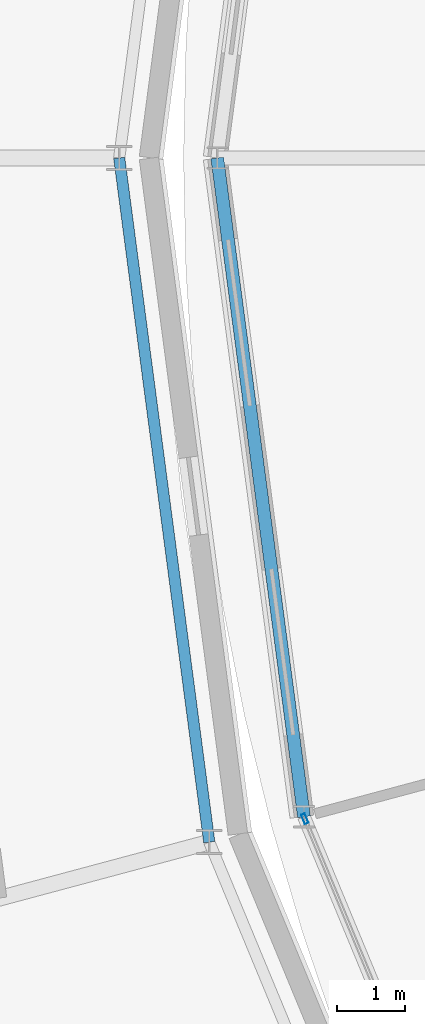
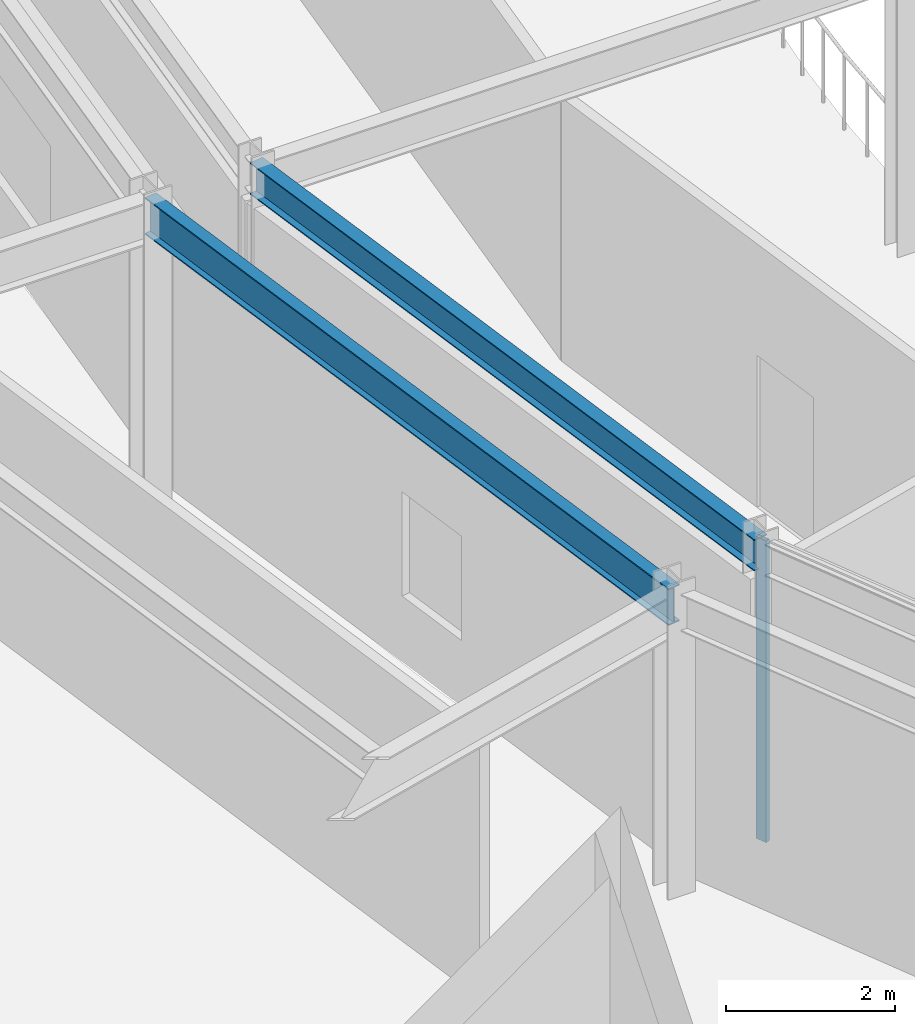
# One storey, part 36 of 157: 2 beams, 1 member, 1 element without a shape of its own.
"""IFC4 building model written with IfcOpenShell, lengths in metres."""

from ifc_helpers import new_model, si_unit, direction, frame, origin, origin_2d, place, context, subcontext, project, spatial, hollow_rectangle, i_section, extrude, material, material_profile, profile_set, type_object, element, aggregate, save


model = new_model("IFC4")

# Units and contexts
model_context = context("Model", 3, precision=1e-05, world=origin(), true_north=direction((0.0, 1.0)))
body_context = subcontext(model_context, "Body", "Model", "MODEL_VIEW")
ifc_project = project(units=[si_unit("LENGTHUNIT", "METRE"), si_unit("AREAUNIT", "SQUARE_METRE"), si_unit("VOLUMEUNIT", "CUBIC_METRE"), si_unit("PLANEANGLEUNIT", "RADIAN"), si_unit("MASSUNIT", "GRAM", prefix="KILO")], contexts=[model_context])

# Site, building, storey
site_placement = place(None, origin())
site = spatial("IfcSite", under=ifc_project, at=site_placement, CompositionType="ELEMENT")
building_placement = place(site_placement, origin())
building = spatial("IfcBuilding", under=site, at=building_placement, Name="Almandine Court Research Institute", CompositionType="ELEMENT")
storey_placement = place(building_placement, frame((0.0, 0.0, 5.25)))
storey = spatial("IfcBuildingStorey", under=building, at=storey_placement, Name="L01", CompositionType="ELEMENT", Elevation=5.25)

# Beams
ifc_material_1 = material(Name="Steel ASTM A992 Grade 50", Category="steel")
ifc_material_profile_1 = material_profile(ifc_material_1, i_section(OverallWidth=0.18994140625, OverallDepth=0.45703125, WebThickness=0.009033203125, FlangeThickness=0.014892578125, at=origin_2d()), Name="W460x74")
ifc_profile_set_1 = profile_set([ifc_material_profile_1], Name="Steel ASTM A992 Grade 50")
beam_type_1 = type_object("IfcBeamType", Name="Beam-B-01", PredefinedType="BEAM", material=ifc_profile_set_1)
beam_1_placement = place(storey_placement, frame((49.35009765625, 56.0, 4.14111328125), z_axis=(0.130525188913, -0.991444993461, 0.0), x_axis=(0.991444993461, 0.130525188913, 0.0)))
element("IfcBeam", 1, at=beam_1_placement, inside=storey, type_object=beam_type_1, Name="L01 Atrium Outer Ring Beam", PredefinedType="BEAM", context=body_context, shape_type="SweptSolid", body=[
    extrude(i_section(OverallWidth=0.18994140625, OverallDepth=0.45703125, WebThickness=0.009033203125, FlangeThickness=0.014892578125, at=origin_2d()), origin(), (0.0, 0.0, 1.0), 9.8291015625),
])
ifc_material_profile_2 = material_profile(ifc_material_1, i_section(OverallWidth=0.166015625, OverallDepth=0.534912109375, WebThickness=0.010009765625, FlangeThickness=0.01708984375, at=origin_2d()), Name="W530x85")
ifc_profile_set_2 = profile_set([ifc_material_profile_2], Name="Steel ASTM A992 Grade 50")
beam_type_2 = type_object("IfcBeamType", Name="Beam-G-05-E", PredefinedType="SPANDREL", material=ifc_profile_set_2)
beam_2_placement = place(storey_placement, frame((47.89990234375, 56.0, 4.10205078125), z_axis=(0.130496584681, -0.991448758831, 0.0), x_axis=(0.991448758831, 0.130496584681, 0.0)))
element("IfcBeam", 2, at=beam_2_placement, inside=storey, type_object=beam_type_2, Name="L01 Drum IN Ring Beam 12", PredefinedType="SPANDREL", context=body_context, shape_type="SweptSolid", body=[
    extrude(i_section(OverallWidth=0.166015625, OverallDepth=0.534912109375, WebThickness=0.010009765625, FlangeThickness=0.01708984375, at=origin_2d()), origin(), (0.0, 0.0, 1.0), 10.20751953125),
])

# Curtain wall, member
ifc_material_2 = material(Name="Unitised Curtain Wall Framing and Solar Glazing", Category="glass")
curtain_wall_type = type_object("IfcCurtainWallType", Name="CW-CWG-24", PredefinedType="USERDEFINED", material=ifc_material_2)
curtain_wall_placement = place(storey_placement, origin())
curtain_wall = element("IfcCurtainWall", 3, at=curtain_wall_placement, inside=storey, type_object=curtain_wall_type, Name="L01 Interaction Atrium Perimeter Curtain Wall 13", ObjectType="UNITISED GLAZING", PredefinedType="USERDEFINED")
ifc_material_3 = material(Name="Anodised Aluminium AW-6063-T6", Category="aluminium")
ifc_material_profile_3 = material_profile(ifc_material_3, hollow_rectangle(XDim=0.06005859375, YDim=0.14990234375, WallThickness=0.00390625, at=origin_2d()), Name="ALU RHS 60x150x4")
ifc_profile_set_3 = profile_set([ifc_material_profile_3], Name="Anodised Aluminium AW-6063-T6")
member_type = type_object("IfcMemberType", Name="CWMul-60x150", PredefinedType="MULLION", material=ifc_profile_set_3)
member_placement = place(storey_placement, frame((50.6455078125, 46.224365234375, 0.0), z_axis=(0.0, 0.0, 1.0), x_axis=(-0.923900189297, -0.382633558665, 0.0)))
member = element("IfcMember", 4, at=member_placement, type_object=member_type, Name="CWG-24 mullion 3", PredefinedType="MULLION", context=body_context, shape_type="SweptSolid", body=[
    extrude(hollow_rectangle(XDim=0.06005859375, YDim=0.14990234375, WallThickness=0.00390625, at=origin_2d()), origin(), (0.0, 0.0, 1.0), 4.3701171875),
])
aggregate(curtain_wall, [member])

save(model, "model.ifc")
